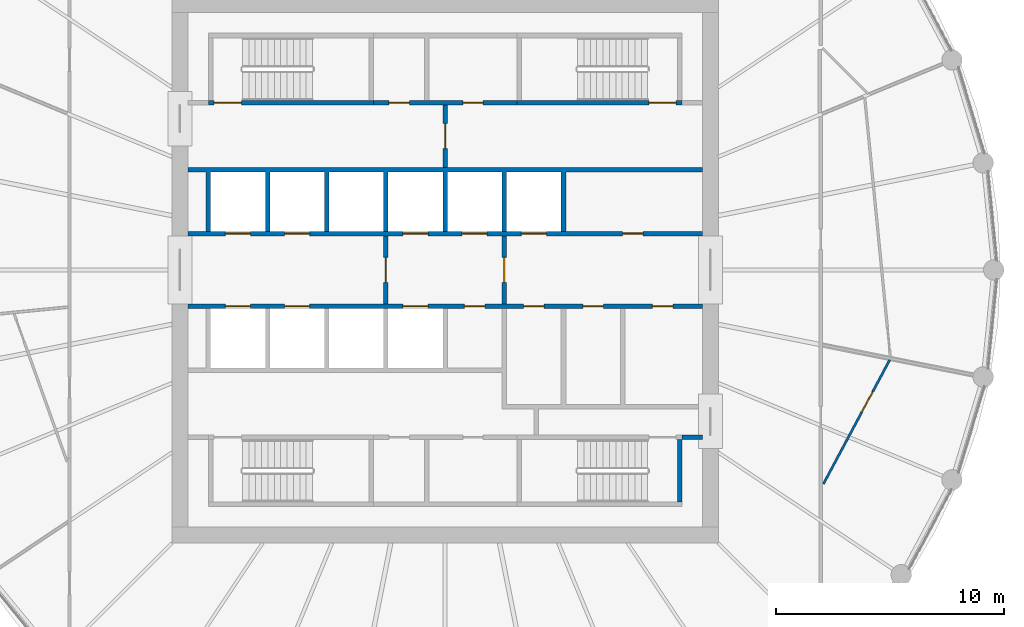
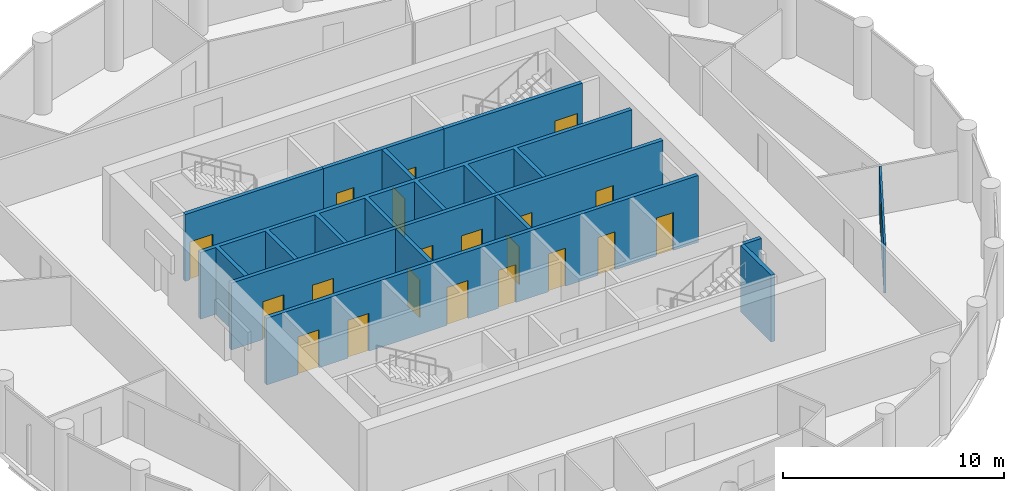
# One storey, part 5 of 8: 21 doors, 12 walls, 21 openings.
"""IFC4 building model written with IfcOpenShell, lengths in metres."""

from ifc_helpers import new_model, si_unit, direction, frame, frame_2d, origin, place, context, subcontext, project, spatial, polyline, rectangle, outline, extrude, material, layer, layer_set, type_object, element, fill, save


model = new_model("IFC4")

# Units and contexts
model_context = context("Model", 3, precision=1e-05, world=origin(), true_north=direction((0.0, 1.0)))
body_context = subcontext(model_context, "Body", "Model", "MODEL_VIEW")
ifc_project = project(units=[si_unit("LENGTHUNIT", "METRE"), si_unit("AREAUNIT", "SQUARE_METRE"), si_unit("VOLUMEUNIT", "CUBIC_METRE"), si_unit("PLANEANGLEUNIT", "RADIAN"), si_unit("MASSUNIT", "GRAM", prefix="KILO")], contexts=[model_context])

# Site, building, storey
site_placement = place(None, origin())
site = spatial("IfcSite", under=ifc_project, at=site_placement, CompositionType="ELEMENT")
building_placement = place(site_placement, origin())
building = spatial("IfcBuilding", under=site, at=building_placement, Name="Corvane Civic Tower", CompositionType="ELEMENT")
storey_placement = place(building_placement, frame((0.0, 0.0, 303.0)))
storey = spatial("IfcBuildingStorey", under=building, at=storey_placement, Name="L72", CompositionType="ELEMENT", Elevation=303.0)

# Wall, openings, doors
ifc_material_1 = material(Name="Concrete C30/37", Category="concrete")
ifc_layer_1 = layer(ifc_material_1, 0.199951171875)
ifc_layer_set_1 = layer_set([ifc_layer_1], Name="Concrete C30/37")
wall_type_1 = type_object("IfcWallType", Name="CR-WALL-200", PredefinedType="PARTITIONING", material=ifc_layer_set_1)
wall_1_placement = place(storey_placement, frame((-11.300048828125, -1.60009765625, 0.0), z_axis=(0.0, 0.0, 1.0), x_axis=(1.0, 0.0, 0.0)))
wall_1 = element("IfcWall", 1, at=wall_1_placement, inside=storey, type_object=wall_type_1, Name="L72 lift shaft wall", PredefinedType="PARTITIONING", context=body_context, shape_type="SweptSolid", body=[
    extrude(rectangle(XDim=22.60009765625, YDim=0.199951171875, at=frame_2d((11.300048828125, 0.0))), origin(), (0.0, 0.0, 1.0), 3.699951171875),
])
opening_1_placement = place(wall_1_placement, frame((1.64990234375, 0.0, 0.0)))
opening_1 = element("IfcOpeningElement", 2, at=opening_1_placement, cuts=wall_1, Name="Opening LD", PredefinedType="OPENING", context=body_context, shape_type="SweptSolid", body=[
    extrude(rectangle(XDim=1.10009765625, YDim=2.10009765625, at=frame_2d((0.550048828125, 1.050048828125))), frame((0.0, 0.10986328125, 0.0), z_axis=(0.0, -1.0, 0.0), x_axis=(1.0, 0.0, 0.0)), (0.0, 0.0, 1.0), 0.219970703125),
])
opening_2_placement = place(wall_1_placement, frame((4.25, 0.0, 0.0)))
opening_2 = element("IfcOpeningElement", 3, at=opening_2_placement, cuts=wall_1, Name="Opening LD", PredefinedType="OPENING", context=body_context, shape_type="SweptSolid", body=[
    extrude(rectangle(XDim=1.10009765625, YDim=2.10009765625, at=frame_2d((0.550048828125, 1.050048828125))), frame((0.0, 0.10986328125, 0.0), z_axis=(0.0, -1.0, 0.0), x_axis=(1.0, 0.0, 0.0)), (0.0, 0.0, 1.0), 0.219970703125),
])
opening_3_placement = place(wall_1_placement, frame((9.449951171875, 0.0, 0.0)))
opening_3 = element("IfcOpeningElement", 4, at=opening_3_placement, cuts=wall_1, Name="Opening LD", PredefinedType="OPENING", context=body_context, shape_type="SweptSolid", body=[
    extrude(rectangle(XDim=1.10009765625, YDim=2.10009765625, at=frame_2d((0.550048828125, 1.050048828125))), frame((0.0, 0.10986328125, 0.0), z_axis=(0.0, -1.0, 0.0), x_axis=(1.0, 0.0, 0.0)), (0.0, 0.0, 1.0), 0.219970703125),
])
opening_4_placement = place(wall_1_placement, frame((12.14990234375, 0.0, 0.0)))
opening_4 = element("IfcOpeningElement", 5, at=opening_4_placement, cuts=wall_1, Name="Opening L72.C02", PredefinedType="OPENING", context=body_context, shape_type="SweptSolid", body=[
    extrude(rectangle(XDim=0.89990234375, YDim=2.10009765625, at=frame_2d((0.449951171875, 1.050048828125))), frame((0.0, 0.10986328125, 0.0), z_axis=(0.0, -1.0, 0.0), x_axis=(1.0, 0.0, 0.0)), (0.0, 0.0, 1.0), 0.219970703125),
])
opening_5_placement = place(wall_1_placement, frame((14.75, 0.0, 0.0)))
opening_5 = element("IfcOpeningElement", 6, at=opening_5_placement, cuts=wall_1, Name="Opening L72.C03", PredefinedType="OPENING", context=body_context, shape_type="SweptSolid", body=[
    extrude(rectangle(XDim=0.89990234375, YDim=2.10009765625, at=frame_2d((0.449951171875, 1.050048828125))), frame((0.0, 0.10986328125, 0.0), z_axis=(0.0, -1.0, 0.0), x_axis=(1.0, 0.0, 0.0)), (0.0, 0.0, 1.0), 0.219970703125),
])
opening_6_placement = place(wall_1_placement, frame((17.35009765625, 0.0, 0.0)))
opening_6 = element("IfcOpeningElement", 7, at=opening_6_placement, cuts=wall_1, Name="Opening L72.C04", PredefinedType="OPENING", context=body_context, shape_type="SweptSolid", body=[
    extrude(rectangle(XDim=0.89990234375, YDim=2.10009765625, at=frame_2d((0.449951171875, 1.050048828125))), frame((0.0, 0.10986328125, 0.0), z_axis=(0.0, -1.0, 0.0), x_axis=(1.0, 0.0, 0.0)), (0.0, 0.0, 1.0), 0.219970703125),
])
opening_7_placement = place(wall_1_placement, frame((20.39990234375, 0.0, 0.0)))
opening_7 = element("IfcOpeningElement", 8, at=opening_7_placement, cuts=wall_1, Name="Opening L72.C05", PredefinedType="OPENING", context=body_context, shape_type="SweptSolid", body=[
    extrude(rectangle(XDim=0.89990234375, YDim=2.10009765625, at=frame_2d((0.449951171875, 1.050048828125))), frame((0.0, 0.10986328125, 0.0), z_axis=(0.0, -1.0, 0.0), x_axis=(1.0, 0.0, 0.0)), (0.0, 0.0, 1.0), 0.219970703125),
])
ifc_material_2 = material(Name="Steel fire door leaf", Category="steel")
door_type_1 = type_object("IfcDoorType", Name="CR-DOOR-900", OperationType="SINGLE_SWING_LEFT", PredefinedType="DOOR", material=ifc_material_2)
door_1_placement = place(opening_4_placement, origin())
door_1 = element("IfcDoor", 9, at=door_1_placement, inside=storey, type_object=door_type_1, Name="L72 door", OperationType="SINGLE_SWING_LEFT", OverallHeight=2.10009765625, OverallWidth=0.89990234375, PredefinedType="DOOR", context=body_context, shape_type="SweptSolid", body=[
    extrude(rectangle(XDim=0.89990234375, YDim=2.10009765625, at=frame_2d((0.449951171875, 1.050048828125))), frame((0.0, 0.02490234375, 0.0), z_axis=(0.0, -1.0, 0.0), x_axis=(1.0, 0.0, 0.0)), (0.0, 0.0, 1.0), 0.050048828125),
])
fill(opening_4, door_1)
door_2_placement = place(opening_5_placement, origin())
door_2 = element("IfcDoor", 10, at=door_2_placement, inside=storey, type_object=door_type_1, Name="L72 door", OperationType="SINGLE_SWING_LEFT", OverallHeight=2.10009765625, OverallWidth=0.89990234375, PredefinedType="DOOR", context=body_context, shape_type="SweptSolid", body=[
    extrude(rectangle(XDim=0.89990234375, YDim=2.10009765625, at=frame_2d((0.449951171875, 1.050048828125))), frame((0.0, 0.02490234375, 0.0), z_axis=(0.0, -1.0, 0.0), x_axis=(1.0, 0.0, 0.0)), (0.0, 0.0, 1.0), 0.050048828125),
])
fill(opening_5, door_2)
door_3_placement = place(opening_6_placement, origin())
door_3 = element("IfcDoor", 11, at=door_3_placement, inside=storey, type_object=door_type_1, Name="L72 door", OperationType="SINGLE_SWING_LEFT", OverallHeight=2.10009765625, OverallWidth=0.89990234375, PredefinedType="DOOR", context=body_context, shape_type="SweptSolid", body=[
    extrude(rectangle(XDim=0.89990234375, YDim=2.10009765625, at=frame_2d((0.449951171875, 1.050048828125))), frame((0.0, 0.02490234375, 0.0), z_axis=(0.0, -1.0, 0.0), x_axis=(1.0, 0.0, 0.0)), (0.0, 0.0, 1.0), 0.050048828125),
])
fill(opening_6, door_3)
door_4_placement = place(opening_7_placement, origin())
door_4 = element("IfcDoor", 12, at=door_4_placement, inside=storey, type_object=door_type_1, Name="L72 door", OperationType="SINGLE_SWING_LEFT", OverallHeight=2.10009765625, OverallWidth=0.89990234375, PredefinedType="DOOR", context=body_context, shape_type="SweptSolid", body=[
    extrude(rectangle(XDim=0.89990234375, YDim=2.10009765625, at=frame_2d((0.449951171875, 1.050048828125))), frame((0.0, 0.02490234375, 0.0), z_axis=(0.0, -1.0, 0.0), x_axis=(1.0, 0.0, 0.0)), (0.0, 0.0, 1.0), 0.050048828125),
])
fill(opening_7, door_4)
ifc_material_3 = material(Name="Stainless steel 316 door leaves", Category="steel")
door_type_2 = type_object("IfcDoorType", Name="LD", OperationType="DOUBLE_DOOR_SLIDING", PredefinedType="DOOR", material=ifc_material_3)
door_5_placement = place(opening_1_placement, origin())
door_5 = element("IfcDoor", 13, at=door_5_placement, inside=storey, type_object=door_type_2, Name="L72 landing door", OperationType="DOUBLE_DOOR_SLIDING", OverallHeight=2.10009765625, OverallWidth=1.10009765625, PredefinedType="DOOR", context=body_context, shape_type="SweptSolid", body=[
    extrude(rectangle(XDim=1.10009765625, YDim=2.10009765625, at=frame_2d((0.550048828125, 1.050048828125))), frame((0.0, 0.02490234375, 0.0), z_axis=(0.0, -1.0, 0.0), x_axis=(1.0, 0.0, 0.0)), (0.0, 0.0, 1.0), 0.050048828125),
])
fill(opening_1, door_5)
door_6_placement = place(opening_2_placement, origin())
door_6 = element("IfcDoor", 14, at=door_6_placement, inside=storey, type_object=door_type_2, Name="L72 landing door", OperationType="DOUBLE_DOOR_SLIDING", OverallHeight=2.10009765625, OverallWidth=1.10009765625, PredefinedType="DOOR", context=body_context, shape_type="SweptSolid", body=[
    extrude(rectangle(XDim=1.10009765625, YDim=2.10009765625, at=frame_2d((0.550048828125, 1.050048828125))), frame((0.0, 0.02490234375, 0.0), z_axis=(0.0, -1.0, 0.0), x_axis=(1.0, 0.0, 0.0)), (0.0, 0.0, 1.0), 0.050048828125),
])
fill(opening_2, door_6)
door_7_placement = place(opening_3_placement, origin())
door_7 = element("IfcDoor", 15, at=door_7_placement, inside=storey, type_object=door_type_2, Name="L72 landing door", OperationType="DOUBLE_DOOR_SLIDING", OverallHeight=2.10009765625, OverallWidth=1.10009765625, PredefinedType="DOOR", context=body_context, shape_type="SweptSolid", body=[
    extrude(rectangle(XDim=1.10009765625, YDim=2.10009765625, at=frame_2d((0.550048828125, 1.050048828125))), frame((0.0, 0.02490234375, 0.0), z_axis=(0.0, -1.0, 0.0), x_axis=(1.0, 0.0, 0.0)), (0.0, 0.0, 1.0), 0.050048828125),
])
fill(opening_3, door_7)

wall_2_placement = place(storey_placement, frame((-11.300048828125, 1.60009765625, 0.0), z_axis=(0.0, 0.0, 1.0), x_axis=(1.0, 0.0, 0.0)))
wall_2 = element("IfcWall", 16, at=wall_2_placement, inside=storey, type_object=wall_type_1, Name="L72 lift shaft wall", PredefinedType="PARTITIONING", context=body_context, shape_type="SweptSolid", body=[
    extrude(rectangle(XDim=22.60009765625, YDim=0.199951171875, at=frame_2d((11.300048828125, 0.0))), origin(), (0.0, 0.0, 1.0), 3.699951171875),
])
opening_8_placement = place(wall_2_placement, frame((1.64990234375, 0.0, 0.0)))
opening_8 = element("IfcOpeningElement", 17, at=opening_8_placement, cuts=wall_2, Name="Opening LD", PredefinedType="OPENING", context=body_context, shape_type="SweptSolid", body=[
    extrude(rectangle(XDim=1.10009765625, YDim=2.10009765625, at=frame_2d((0.550048828125, 1.050048828125))), frame((0.0, 0.10986328125, 0.0), z_axis=(0.0, -1.0, 0.0), x_axis=(1.0, 0.0, 0.0)), (0.0, 0.0, 1.0), 0.219970703125),
])
opening_9_placement = place(wall_2_placement, frame((4.25, 0.0, 0.0)))
opening_9 = element("IfcOpeningElement", 18, at=opening_9_placement, cuts=wall_2, Name="Opening LD", PredefinedType="OPENING", context=body_context, shape_type="SweptSolid", body=[
    extrude(rectangle(XDim=1.10009765625, YDim=2.10009765625, at=frame_2d((0.550048828125, 1.050048828125))), frame((0.0, 0.10986328125, 0.0), z_axis=(0.0, -1.0, 0.0), x_axis=(1.0, 0.0, 0.0)), (0.0, 0.0, 1.0), 0.219970703125),
])
opening_10_placement = place(wall_2_placement, frame((9.449951171875, 0.0, 0.0)))
opening_10 = element("IfcOpeningElement", 19, at=opening_10_placement, cuts=wall_2, Name="Opening LD", PredefinedType="OPENING", context=body_context, shape_type="SweptSolid", body=[
    extrude(rectangle(XDim=1.10009765625, YDim=2.10009765625, at=frame_2d((0.550048828125, 1.050048828125))), frame((0.0, 0.10986328125, 0.0), z_axis=(0.0, -1.0, 0.0), x_axis=(1.0, 0.0, 0.0)), (0.0, 0.0, 1.0), 0.219970703125),
])
opening_11_placement = place(wall_2_placement, frame((12.050048828125, 0.0, 0.0)))
opening_11 = element("IfcOpeningElement", 20, at=opening_11_placement, cuts=wall_2, Name="Opening LD", PredefinedType="OPENING", context=body_context, shape_type="SweptSolid", body=[
    extrude(rectangle(XDim=1.10009765625, YDim=2.10009765625, at=frame_2d((0.550048828125, 1.050048828125))), frame((0.0, 0.10986328125, 0.0), z_axis=(0.0, -1.0, 0.0), x_axis=(1.0, 0.0, 0.0)), (0.0, 0.0, 1.0), 0.219970703125),
])
opening_12_placement = place(wall_2_placement, frame((14.64990234375, 0.0, 0.0)))
opening_12 = element("IfcOpeningElement", 21, at=opening_12_placement, cuts=wall_2, Name="Opening LD", PredefinedType="OPENING", context=body_context, shape_type="SweptSolid", body=[
    extrude(rectangle(XDim=1.10009765625, YDim=2.10009765625, at=frame_2d((0.550048828125, 1.050048828125))), frame((0.0, 0.10986328125, 0.0), z_axis=(0.0, -1.0, 0.0), x_axis=(1.0, 0.0, 0.0)), (0.0, 0.0, 1.0), 0.219970703125),
])
opening_13_placement = place(wall_2_placement, frame((19.10009765625, 0.0, 0.0)))
opening_13 = element("IfcOpeningElement", 22, at=opening_13_placement, cuts=wall_2, Name="Opening L72.C01", PredefinedType="OPENING", context=body_context, shape_type="SweptSolid", body=[
    extrude(rectangle(XDim=0.89990234375, YDim=2.10009765625, at=frame_2d((0.449951171875, 1.050048828125))), frame((0.0, 0.10986328125, 0.0), z_axis=(0.0, -1.0, 0.0), x_axis=(1.0, 0.0, 0.0)), (0.0, 0.0, 1.0), 0.219970703125),
])
door_8_placement = place(opening_13_placement, origin())
door_8 = element("IfcDoor", 23, at=door_8_placement, inside=storey, type_object=door_type_1, Name="L72 door", OperationType="SINGLE_SWING_LEFT", OverallHeight=2.10009765625, OverallWidth=0.89990234375, PredefinedType="DOOR", context=body_context, shape_type="SweptSolid", body=[
    extrude(rectangle(XDim=0.89990234375, YDim=2.10009765625, at=frame_2d((0.449951171875, 1.050048828125))), frame((0.0, 0.02490234375, 0.0), z_axis=(0.0, -1.0, 0.0), x_axis=(1.0, 0.0, 0.0)), (0.0, 0.0, 1.0), 0.050048828125),
])
fill(opening_13, door_8)
door_9_placement = place(opening_8_placement, origin())
door_9 = element("IfcDoor", 24, at=door_9_placement, inside=storey, type_object=door_type_2, Name="L72 landing door", OperationType="DOUBLE_DOOR_SLIDING", OverallHeight=2.10009765625, OverallWidth=1.10009765625, PredefinedType="DOOR", context=body_context, shape_type="SweptSolid", body=[
    extrude(rectangle(XDim=1.10009765625, YDim=2.10009765625, at=frame_2d((0.550048828125, 1.050048828125))), frame((0.0, 0.02490234375, 0.0), z_axis=(0.0, -1.0, 0.0), x_axis=(1.0, 0.0, 0.0)), (0.0, 0.0, 1.0), 0.050048828125),
])
fill(opening_8, door_9)
door_10_placement = place(opening_9_placement, origin())
door_10 = element("IfcDoor", 25, at=door_10_placement, inside=storey, type_object=door_type_2, Name="L72 landing door", OperationType="DOUBLE_DOOR_SLIDING", OverallHeight=2.10009765625, OverallWidth=1.10009765625, PredefinedType="DOOR", context=body_context, shape_type="SweptSolid", body=[
    extrude(rectangle(XDim=1.10009765625, YDim=2.10009765625, at=frame_2d((0.550048828125, 1.050048828125))), frame((0.0, 0.02490234375, 0.0), z_axis=(0.0, -1.0, 0.0), x_axis=(1.0, 0.0, 0.0)), (0.0, 0.0, 1.0), 0.050048828125),
])
fill(opening_9, door_10)
door_11_placement = place(opening_10_placement, origin())
door_11 = element("IfcDoor", 26, at=door_11_placement, inside=storey, type_object=door_type_2, Name="L72 landing door", OperationType="DOUBLE_DOOR_SLIDING", OverallHeight=2.10009765625, OverallWidth=1.10009765625, PredefinedType="DOOR", context=body_context, shape_type="SweptSolid", body=[
    extrude(rectangle(XDim=1.10009765625, YDim=2.10009765625, at=frame_2d((0.550048828125, 1.050048828125))), frame((0.0, 0.02490234375, 0.0), z_axis=(0.0, -1.0, 0.0), x_axis=(1.0, 0.0, 0.0)), (0.0, 0.0, 1.0), 0.050048828125),
])
fill(opening_10, door_11)
door_12_placement = place(opening_11_placement, origin())
door_12 = element("IfcDoor", 27, at=door_12_placement, inside=storey, type_object=door_type_2, Name="L72 landing door", OperationType="DOUBLE_DOOR_SLIDING", OverallHeight=2.10009765625, OverallWidth=1.10009765625, PredefinedType="DOOR", context=body_context, shape_type="SweptSolid", body=[
    extrude(rectangle(XDim=1.10009765625, YDim=2.10009765625, at=frame_2d((0.550048828125, 1.050048828125))), frame((0.0, 0.02490234375, 0.0), z_axis=(0.0, -1.0, 0.0), x_axis=(1.0, 0.0, 0.0)), (0.0, 0.0, 1.0), 0.050048828125),
])
fill(opening_11, door_12)
door_13_placement = place(opening_12_placement, origin())
door_13 = element("IfcDoor", 28, at=door_13_placement, inside=storey, type_object=door_type_2, Name="L72 landing door", OperationType="DOUBLE_DOOR_SLIDING", OverallHeight=2.10009765625, OverallWidth=1.10009765625, PredefinedType="DOOR", context=body_context, shape_type="SweptSolid", body=[
    extrude(rectangle(XDim=1.10009765625, YDim=2.10009765625, at=frame_2d((0.550048828125, 1.050048828125))), frame((0.0, 0.02490234375, 0.0), z_axis=(0.0, -1.0, 0.0), x_axis=(1.0, 0.0, 0.0)), (0.0, 0.0, 1.0), 0.050048828125),
])
fill(opening_12, door_13)

wall_3_placement = place(storey_placement, frame((-3.14990234375, 7.35009765625, 0.0), z_axis=(0.0, 0.0, 1.0), x_axis=(1.0, 0.0, 0.0)))
wall_3 = element("IfcWall", 29, at=wall_3_placement, inside=storey, type_object=wall_type_1, Name="L72 partition wall", PredefinedType="PARTITIONING", context=body_context, shape_type="SweptSolid", body=[
    extrude(rectangle(XDim=6.2998046875, YDim=0.199951171875, at=frame_2d((3.14990234375, 0.0))), origin(), (0.0, 0.0, 1.0), 3.699951171875),
])
opening_14_placement = place(wall_3_placement, frame((0.675048828125, 0.0, 0.0)))
opening_14 = element("IfcOpeningElement", 30, at=opening_14_placement, cuts=wall_3, Name="Opening L72.C06", PredefinedType="OPENING", context=body_context, shape_type="SweptSolid", body=[
    extrude(rectangle(XDim=0.89990234375, YDim=2.10009765625, at=frame_2d((0.449951171875, 1.050048828125))), frame((0.0, 0.10986328125, 0.0), z_axis=(0.0, -1.0, 0.0), x_axis=(1.0, 0.0, 0.0)), (0.0, 0.0, 1.0), 0.219970703125),
])
opening_15_placement = place(wall_3_placement, frame((3.925048828125, 0.0, 0.0)))
opening_15 = element("IfcOpeningElement", 31, at=opening_15_placement, cuts=wall_3, Name="Opening L72.C07", PredefinedType="OPENING", context=body_context, shape_type="SweptSolid", body=[
    extrude(rectangle(XDim=0.89990234375, YDim=2.10009765625, at=frame_2d((0.449951171875, 1.050048828125))), frame((0.0, 0.10986328125, 0.0), z_axis=(0.0, -1.0, 0.0), x_axis=(1.0, 0.0, 0.0)), (0.0, 0.0, 1.0), 0.219970703125),
])
door_14_placement = place(opening_14_placement, origin())
door_14 = element("IfcDoor", 32, at=door_14_placement, inside=storey, type_object=door_type_1, Name="L72 door", OperationType="SINGLE_SWING_LEFT", OverallHeight=2.10009765625, OverallWidth=0.89990234375, PredefinedType="DOOR", context=body_context, shape_type="SweptSolid", body=[
    extrude(rectangle(XDim=0.89990234375, YDim=2.10009765625, at=frame_2d((0.449951171875, 1.050048828125))), frame((0.0, 0.02490234375, 0.0), z_axis=(0.0, -1.0, 0.0), x_axis=(1.0, 0.0, 0.0)), (0.0, 0.0, 1.0), 0.050048828125),
])
fill(opening_14, door_14)
door_15_placement = place(opening_15_placement, origin())
door_15 = element("IfcDoor", 33, at=door_15_placement, inside=storey, type_object=door_type_1, Name="L72 door", OperationType="SINGLE_SWING_LEFT", OverallHeight=2.10009765625, OverallWidth=0.89990234375, PredefinedType="DOOR", context=body_context, shape_type="SweptSolid", body=[
    extrude(rectangle(XDim=0.89990234375, YDim=2.10009765625, at=frame_2d((0.449951171875, 1.050048828125))), frame((0.0, 0.02490234375, 0.0), z_axis=(0.0, -1.0, 0.0), x_axis=(1.0, 0.0, 0.0)), (0.0, 0.0, 1.0), 0.050048828125),
])
fill(opening_15, door_15)

# Wall, opening, door
wall_4_placement = place(storey_placement, frame((-2.60009765625, -1.5, 0.0), z_axis=(0.0, 0.0, 1.0), x_axis=(0.0, 1.0, 0.0)))
wall_4 = element("IfcWall", 34, at=wall_4_placement, inside=storey, type_object=wall_type_1, Name="L72 firefighting lobby wall", PredefinedType="PARTITIONING", context=body_context, shape_type="SweptSolid", body=[
    extrude(rectangle(XDim=3.0, YDim=0.199951171875, at=frame_2d((1.5, 0.0))), origin(), (0.0, 0.0, 1.0), 3.699951171875),
])
opening_16_placement = place(wall_4_placement, frame((0.949951171875, 0.0, 0.0)))
opening_16 = element("IfcOpeningElement", 35, at=opening_16_placement, cuts=wall_4, Name="Opening L72.C14", PredefinedType="OPENING", context=body_context, shape_type="SweptSolid", body=[
    extrude(rectangle(XDim=1.10009765625, YDim=2.10009765625, at=frame_2d((0.550048828125, 1.050048828125))), frame((0.0, 0.10986328125, 0.0), z_axis=(0.0, -1.0, 0.0), x_axis=(1.0, 0.0, 0.0)), (0.0, 0.0, 1.0), 0.219970703125),
])
ifc_material_4 = material(Name="Steel fire door leaf", Category="steel")
door_type_3 = type_object("IfcDoorType", Name="CR-DOOR-FFL-1100", OperationType="SINGLE_SWING_LEFT", PredefinedType="DOOR", material=ifc_material_4)
door_16_placement = place(opening_16_placement, origin())
door_16 = element("IfcDoor", 36, at=door_16_placement, inside=storey, type_object=door_type_3, Name="L72 lobby door", OperationType="SINGLE_SWING_LEFT", OverallHeight=2.10009765625, OverallWidth=1.10009765625, PredefinedType="DOOR", context=body_context, shape_type="SweptSolid", body=[
    extrude(rectangle(XDim=1.10009765625, YDim=2.10009765625, at=frame_2d((0.550048828125, 1.050048828125))), frame((0.0, 0.02490234375, 0.0), z_axis=(0.0, -1.0, 0.0), x_axis=(1.0, 0.0, 0.0)), (0.0, 0.0, 1.0), 0.050048828125),
])
fill(opening_16, door_16)

wall_5_placement = place(storey_placement, frame((0.0, 4.5, 0.0), z_axis=(0.0, 0.0, 1.0), x_axis=(0.0, 1.0, 0.0)))
wall_5 = element("IfcWall", 37, at=wall_5_placement, inside=storey, type_object=wall_type_1, Name="L72 core partition wall", PredefinedType="PARTITIONING", context=body_context, shape_type="SweptSolid", body=[
    extrude(rectangle(XDim=2.75, YDim=0.199951171875, at=frame_2d((1.375, 0.0))), origin(), (0.0, 0.0, 1.0), 3.699951171875),
])
opening_17_placement = place(wall_5_placement, frame((0.824951171875, 0.0, 0.0)))
opening_17 = element("IfcOpeningElement", 38, at=opening_17_placement, cuts=wall_5, Name="Opening L72.C16", PredefinedType="OPENING", context=body_context, shape_type="SweptSolid", body=[
    extrude(rectangle(XDim=1.10009765625, YDim=2.10009765625, at=frame_2d((0.550048828125, 1.050048828125))), frame((0.0, 0.10986328125, 0.0), z_axis=(0.0, -1.0, 0.0), x_axis=(1.0, 0.0, 0.0)), (0.0, 0.0, 1.0), 0.219970703125),
])
door_17_placement = place(opening_17_placement, origin())
door_17 = element("IfcDoor", 39, at=door_17_placement, inside=storey, type_object=door_type_3, Name="L72 lobby door", OperationType="SINGLE_SWING_LEFT", OverallHeight=2.10009765625, OverallWidth=1.10009765625, PredefinedType="DOOR", context=body_context, shape_type="SweptSolid", body=[
    extrude(rectangle(XDim=1.10009765625, YDim=2.10009765625, at=frame_2d((0.550048828125, 1.050048828125))), frame((0.0, 0.02490234375, 0.0), z_axis=(0.0, -1.0, 0.0), x_axis=(1.0, 0.0, 0.0)), (0.0, 0.0, 1.0), 0.050048828125),
])
fill(opening_17, door_17)

wall_6_placement = place(storey_placement, frame((2.60009765625, -1.5, 0.0), z_axis=(0.0, 0.0, 1.0), x_axis=(0.0, 1.0, 0.0)))
wall_6 = element("IfcWall", 40, at=wall_6_placement, inside=storey, type_object=wall_type_1, Name="L72 firefighting lobby wall", PredefinedType="PARTITIONING", context=body_context, shape_type="SweptSolid", body=[
    extrude(rectangle(XDim=3.0, YDim=0.199951171875, at=frame_2d((1.5, 0.0))), origin(), (0.0, 0.0, 1.0), 3.699951171875),
])
opening_18_placement = place(wall_6_placement, frame((0.949951171875, 0.0, 0.0)))
opening_18 = element("IfcOpeningElement", 41, at=opening_18_placement, cuts=wall_6, Name="Opening L72.C15", PredefinedType="OPENING", context=body_context, shape_type="SweptSolid", body=[
    extrude(rectangle(XDim=1.10009765625, YDim=2.10009765625, at=frame_2d((0.550048828125, 1.050048828125))), frame((0.0, 0.10986328125, 0.0), z_axis=(0.0, -1.0, 0.0), x_axis=(1.0, 0.0, 0.0)), (0.0, 0.0, 1.0), 0.219970703125),
])
door_18_placement = place(opening_18_placement, origin())
door_18 = element("IfcDoor", 42, at=door_18_placement, inside=storey, type_object=door_type_3, Name="L72 lobby door", OperationType="SINGLE_SWING_LEFT", OverallHeight=2.10009765625, OverallWidth=1.10009765625, PredefinedType="DOOR", context=body_context, shape_type="SweptSolid", body=[
    extrude(rectangle(XDim=1.10009765625, YDim=2.10009765625, at=frame_2d((0.550048828125, 1.050048828125))), frame((0.0, 0.02490234375, 0.0), z_axis=(0.0, -1.0, 0.0), x_axis=(1.0, 0.0, 0.0)), (0.0, 0.0, 1.0), 0.050048828125),
])
fill(opening_18, door_18)

# Walls
wall_7_placement = place(storey_placement, origin())
element("IfcWall", 43, at=wall_7_placement, inside=storey, type_object=wall_type_1, Name="L72 core partition wall", PredefinedType="PARTITIONING", context=body_context, shape_type="SweptSolid", body=[
    extrude(outline(polyline([(0.10009765625, 1.699951171875), (-0.10009765625, 1.699951171875), (-0.10009765625, 4.300048828125), (-2.5, 4.300048828125), (-2.5, 1.699951171875), (-2.699951171875, 1.699951171875), (-2.699951171875, 4.300048828125), (-5.10009765625, 4.300048828125), (-5.10009765625, 1.699951171875), (-5.300048828125, 1.699951171875), (-5.300048828125, 4.300048828125), (-7.699951171875, 4.300048828125), (-7.699951171875, 1.699951171875), (-7.89990234375, 1.699951171875), (-7.89990234375, 4.300048828125), (-10.300048828125, 4.300048828125), (-10.300048828125, 1.699951171875), (-10.5, 1.699951171875), (-10.5, 4.300048828125), (-11.300048828125, 4.300048828125), (-11.300048828125, 4.5), (11.300048828125, 4.5), (11.300048828125, 4.300048828125), (5.300048828125, 4.300048828125), (5.300048828125, 1.699951171875), (5.10009765625, 1.699951171875), (5.10009765625, 4.300048828125), (2.699951171875, 4.300048828125), (2.699951171875, 1.699951171875), (2.5, 1.699951171875), (2.5, 4.300048828125), (0.10009765625, 4.300048828125), (0.10009765625, 1.699951171875)])), origin(), (0.0, 0.0, 1.0), 3.699951171875),
])
wall_8_placement = place(storey_placement, origin())
element("IfcWall", 44, at=wall_8_placement, inside=storey, type_object=wall_type_1, Name="L72 core partition wall", PredefinedType="PARTITIONING", context=body_context, shape_type="SweptSolid", body=[
    extrude(outline(polyline([(11.300048828125, -7.449951171875), (10.39990234375, -7.449951171875), (10.39990234375, -7.25), (11.300048828125, -7.25), (11.300048828125, -7.449951171875)])), origin(), (0.0, 0.0, 1.0), 3.699951171875),
])

# Wall, opening, door
ifc_material_5 = material(Name="Plasterboard")
ifc_layer_2 = layer(ifc_material_5, 0.10009765625)
ifc_layer_set_2 = layer_set([ifc_layer_2], Name="Plasterboard")
wall_type_2 = type_object("IfcWallType", Name="Partition 100 plasterboard on studs", PredefinedType="PARTITIONING", material=ifc_layer_set_2)
wall_9_placement = place(storey_placement, frame((16.619140625, -9.396484375, 0.0), z_axis=(0.0, 0.0, 1.0), x_axis=(0.471386284429, 0.881926851191, 0.0)))
wall_9 = element("IfcWall", 45, at=wall_9_placement, inside=storey, type_object=wall_type_2, Name="Partition L72.017", PredefinedType="PARTITIONING", context=body_context, shape_type="SweptSolid", body=[
    extrude(rectangle(XDim=6.175048828125, YDim=0.10009765625, at=frame_2d((3.08740234375, 0.0))), origin(), (0.0, 0.0, 1.0), 2.699951171875),
])
opening_19_placement = place(wall_9_placement, frame((3.58154296875, 0.0, 0.0)))
opening_19 = element("IfcOpeningElement", 46, at=opening_19_placement, cuts=wall_9, Name="Opening L72.003", PredefinedType="OPENING", context=body_context, shape_type="SweptSolid", body=[
    extrude(rectangle(XDim=1.0, YDim=2.10009765625, at=frame_2d((0.5, 1.050048828125))), frame((0.0, 0.06005859375, 0.0), z_axis=(0.0, -1.0, 0.0), x_axis=(1.0, 0.0, 0.0)), (0.0, 0.0, 1.0), 0.1201171875),
])
ifc_material_6 = material(Name="Timber", Category="wood")
door_type_4 = type_object("IfcDoorType", Name="Single door 1000", OperationType="NOTDEFINED", PredefinedType="DOOR", material=ifc_material_6)
door_19_placement = place(opening_19_placement, frame((1.0, 0.0, 0.0), z_axis=(0.0, 0.0, 1.0), x_axis=(-1.0, 0.0, 0.0)))
door_19 = element("IfcDoor", 47, at=door_19_placement, inside=storey, type_object=door_type_4, Name="Door L72.003", OperationType="SINGLE_SWING_RIGHT", OverallHeight=2.10009765625, OverallWidth=1.0, PredefinedType="DOOR", context=body_context, shape_type="SweptSolid", body=[
    extrude(rectangle(XDim=1.0, YDim=2.10009765625, at=frame_2d((0.5, 1.050048828125))), frame((0.0, 0.02490234375, 0.0), z_axis=(0.0, -1.0, 0.0), x_axis=(1.0, 0.0, 0.0)), (0.0, 0.0, 1.0), 0.050048828125),
])
fill(opening_19, door_19)

ifc_material_7 = material(Name="Concrete C50/60", Category="concrete")
ifc_layer_3 = layer(ifc_material_7, 0.199951171875)
ifc_layer_set_3 = layer_set([ifc_layer_3], Name="Concrete C50/60")
wall_type_3 = type_object("IfcWallType", Name="ST-WALL-200", PredefinedType="SHEAR", material=ifc_layer_set_3)
wall_10_placement = place(storey_placement, frame((-10.39990234375, 7.35009765625, 0.0), z_axis=(0.0, 0.0, 1.0), x_axis=(1.0, 0.0, 0.0)))
wall_10 = element("IfcWall", 48, at=wall_10_placement, inside=storey, type_object=wall_type_3, Name="L72 stair enclosure wall", PredefinedType="SHEAR", context=body_context, shape_type="SweptSolid", body=[
    extrude(rectangle(XDim=7.25, YDim=0.199951171875, at=frame_2d((3.625, 0.0))), origin(), (0.0, 0.0, 1.0), 3.699951171875),
])
opening_20_placement = place(wall_10_placement, frame((0.25, 0.0, 0.0)))
opening_20 = element("IfcOpeningElement", 49, at=opening_20_placement, cuts=wall_10, Name="Opening L72.C11", PredefinedType="OPENING", context=body_context, shape_type="SweptSolid", body=[
    extrude(rectangle(XDim=1.199951171875, YDim=2.10009765625, at=frame_2d((0.60009765625, 1.050048828125))), frame((0.0, 0.10986328125, 0.0), z_axis=(0.0, -1.0, 0.0), x_axis=(1.0, 0.0, 0.0)), (0.0, 0.0, 1.0), 0.219970703125),
])
ifc_material_8 = material(Name="Steel fire door leaf", Category="steel")
door_type_5 = type_object("IfcDoorType", Name="ST-DOOR-1200", OperationType="SINGLE_SWING_RIGHT", PredefinedType="DOOR", material=ifc_material_8)
door_20_placement = place(opening_20_placement, origin())
door_20 = element("IfcDoor", 50, at=door_20_placement, inside=storey, type_object=door_type_5, Name="L72 stair door", OperationType="SINGLE_SWING_RIGHT", OverallHeight=2.10009765625, OverallWidth=1.199951171875, PredefinedType="DOOR", context=body_context, shape_type="SweptSolid", body=[
    extrude(rectangle(XDim=1.199951171875, YDim=2.10009765625, at=frame_2d((0.60009765625, 1.050048828125))), frame((0.0, 0.02490234375, 0.0), z_axis=(0.0, -1.0, 0.0), x_axis=(1.0, 0.0, 0.0)), (0.0, 0.0, 1.0), 0.050048828125),
])
fill(opening_20, door_20)

wall_11_placement = place(storey_placement, frame((3.14990234375, 7.35009765625, 0.0), z_axis=(0.0, 0.0, 1.0), x_axis=(1.0, 0.0, 0.0)))
wall_11 = element("IfcWall", 51, at=wall_11_placement, inside=storey, type_object=wall_type_3, Name="L72 stair enclosure wall", PredefinedType="SHEAR", context=body_context, shape_type="SweptSolid", body=[
    extrude(rectangle(XDim=7.25, YDim=0.199951171875, at=frame_2d((3.625, 0.0))), origin(), (0.0, 0.0, 1.0), 3.699951171875),
])
opening_21_placement = place(wall_11_placement, frame((5.800048828125, 0.0, 0.0)))
opening_21 = element("IfcOpeningElement", 52, at=opening_21_placement, cuts=wall_11, Name="Opening L72.C10", PredefinedType="OPENING", context=body_context, shape_type="SweptSolid", body=[
    extrude(rectangle(XDim=1.199951171875, YDim=2.10009765625, at=frame_2d((0.60009765625, 1.050048828125))), frame((0.0, 0.10986328125, 0.0), z_axis=(0.0, -1.0, 0.0), x_axis=(1.0, 0.0, 0.0)), (0.0, 0.0, 1.0), 0.219970703125),
])
door_21_placement = place(opening_21_placement, origin())
door_21 = element("IfcDoor", 53, at=door_21_placement, inside=storey, type_object=door_type_5, Name="L72 stair door", OperationType="SINGLE_SWING_RIGHT", OverallHeight=2.10009765625, OverallWidth=1.199951171875, PredefinedType="DOOR", context=body_context, shape_type="SweptSolid", body=[
    extrude(rectangle(XDim=1.199951171875, YDim=2.10009765625, at=frame_2d((0.60009765625, 1.050048828125))), frame((0.0, 0.02490234375, 0.0), z_axis=(0.0, -1.0, 0.0), x_axis=(1.0, 0.0, 0.0)), (0.0, 0.0, 1.0), 0.050048828125),
])
fill(opening_21, door_21)

# Wall
wall_12_placement = place(storey_placement, origin())
element("IfcWall", 54, at=wall_12_placement, inside=storey, type_object=wall_type_3, Name="L72 stair enclosure wall", PredefinedType="SHEAR", context=body_context, shape_type="SweptSolid", body=[
    extrude(outline(polyline([(10.39990234375, -7.449951171875), (10.39990234375, -10.199951171875), (10.199951171875, -10.199951171875), (10.199951171875, -7.449951171875), (10.39990234375, -7.449951171875)])), origin(), (0.0, 0.0, 1.0), 3.699951171875),
])

save(model, "model.ifc")
